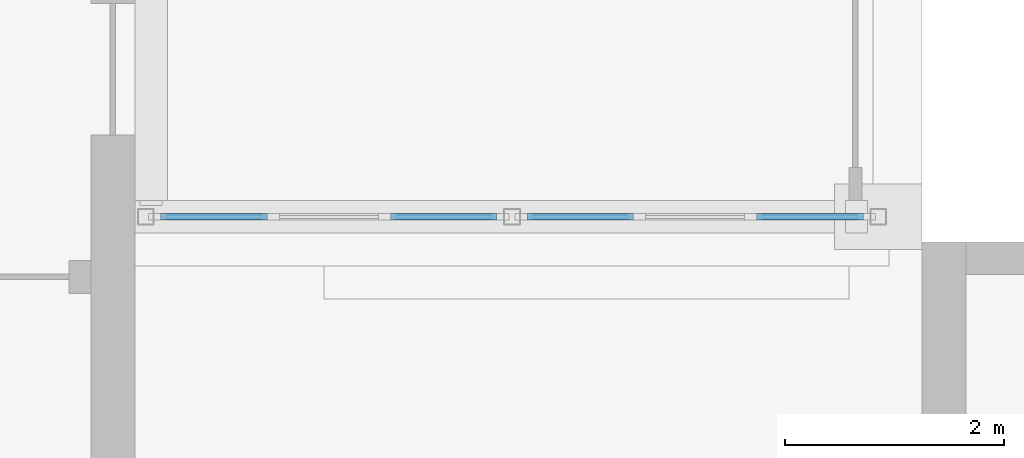
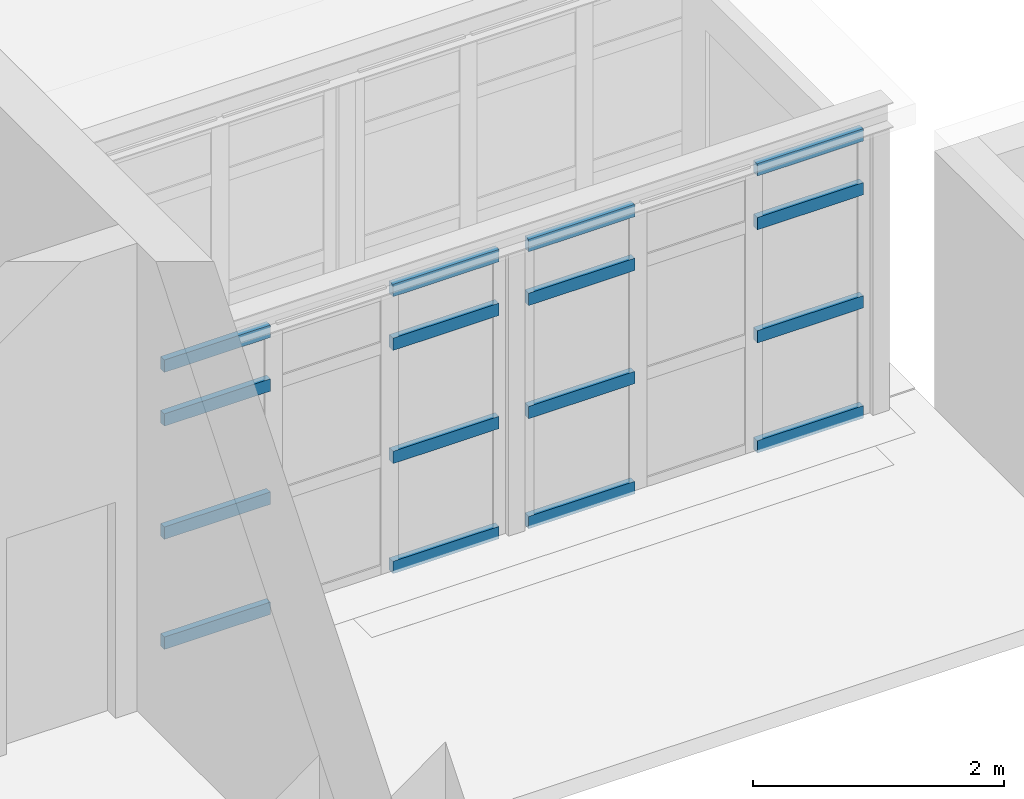
# One storey, part 59 of 131: 16 members, 2 elements without a shape of their own.
"""IFC4 building model written with IfcOpenShell, lengths in metres."""

from ifc_helpers import new_model, si_unit, direction, frame, origin, origin_2d, place, context, subcontext, project, spatial, rectangle, extrude, material, layer, layer_set, material_profile, profile_set, type_object, element, aggregate, save


model = new_model("IFC4")

# Units and contexts
model_context = context("Model", 3, precision=1e-05, world=origin(), true_north=direction((0.0, 1.0)))
body_context = subcontext(model_context, "Body", "Model", "MODEL_VIEW")
ifc_project = project(units=[si_unit("LENGTHUNIT", "METRE"), si_unit("AREAUNIT", "SQUARE_METRE"), si_unit("VOLUMEUNIT", "CUBIC_METRE"), si_unit("PLANEANGLEUNIT", "RADIAN"), si_unit("MASSUNIT", "GRAM", prefix="KILO")], contexts=[model_context])

# Site, building, storey
site_placement = place(None, origin())
site = spatial("IfcSite", under=ifc_project, at=site_placement, CompositionType="ELEMENT")
building_placement = place(site_placement, origin())
building = spatial("IfcBuilding", under=site, at=building_placement, Name="Alderwick Market Hall", CompositionType="ELEMENT")
storey_placement = place(building_placement, frame((0.0, 0.0, 4.800048828125)))
storey = spatial("IfcBuildingStorey", under=building, at=storey_placement, Name="L00", CompositionType="ELEMENT", Elevation=4.800048828125)

# Curtain wall, members
ifc_material = material(Name="Aluminium frame", Category="aluminium")
ifc_layer = layer(ifc_material, 0.10009765625)
ifc_layer_set = layer_set([ifc_layer], Name="Aluminium frame")
curtain_wall_type = type_object("IfcCurtainWallType", Name="P Curtain Wall 100", PredefinedType="NOTDEFINED", material=ifc_layer_set)
curtain_wall_1_placement = place(storey_placement, origin())
curtain_wall_1 = element("IfcCurtainWall", 1, at=curtain_wall_1_placement, inside=storey, type_object=curtain_wall_type, Name="P.P7.cw.a0", PredefinedType="NOTDEFINED")
ifc_material_profile = material_profile(ifc_material, rectangle(XDim=0.06005859375, YDim=0.1201171875, at=origin_2d()), Name="P Transom 60x120")
ifc_profile_set = profile_set([ifc_material_profile], Name="Aluminium frame")
member_type = type_object("IfcMemberType", Name="P Transom 60x120", PredefinedType="USERDEFINED", material=ifc_profile_set)
member_1_placement = place(storey_placement, frame((43.43603515625, 126.75, 0.030029296875), z_axis=(1.0, 0.0, 0.0), x_axis=(0.0, 1.0, 0.0)))
member_1 = element("IfcMember", 2, at=member_1_placement, type_object=member_type, Name="P-CW7a0 transom 1.1", ObjectType="TRANSOM", PredefinedType="USERDEFINED", context=body_context, shape_type="SweptSolid", body=[
    extrude(rectangle(XDim=0.06005859375, YDim=0.1201171875, at=origin_2d()), origin(), (0.0, 0.0, 1.0), 0.97607421875),
])
member_2_placement = place(storey_placement, frame((43.43603515625, 126.75, 1.099853515625), z_axis=(1.0, 0.0, 0.0), x_axis=(0.0, 1.0, 0.0)))
member_2 = element("IfcMember", 3, at=member_2_placement, type_object=member_type, Name="P-CW7a0 transom 1.2", ObjectType="TRANSOM", PredefinedType="USERDEFINED", context=body_context, shape_type="SweptSolid", body=[
    extrude(rectangle(XDim=0.06005859375, YDim=0.1201171875, at=origin_2d()), origin(), (0.0, 0.0, 1.0), 0.97607421875),
])
member_3_placement = place(storey_placement, frame((43.43603515625, 126.75, 2.199951171875), z_axis=(1.0, 0.0, 0.0), x_axis=(0.0, 1.0, 0.0)))
member_3 = element("IfcMember", 4, at=member_3_placement, type_object=member_type, Name="P-CW7a0 transom 1.3", ObjectType="TRANSOM", PredefinedType="USERDEFINED", context=body_context, shape_type="SweptSolid", body=[
    extrude(rectangle(XDim=0.06005859375, YDim=0.1201171875, at=origin_2d()), origin(), (0.0, 0.0, 1.0), 0.97607421875),
])
member_4_placement = place(storey_placement, frame((43.43603515625, 126.75, 2.722900390625), z_axis=(1.0, 0.0, 0.0), x_axis=(0.0, 1.0, 0.0)))
member_4 = element("IfcMember", 5, at=member_4_placement, type_object=member_type, Name="P-CW7a0 transom 1.4", ObjectType="TRANSOM", PredefinedType="USERDEFINED", context=body_context, shape_type="SweptSolid", body=[
    extrude(rectangle(XDim=0.06005859375, YDim=0.1201171875, at=origin_2d()), origin(), (0.0, 0.0, 1.0), 0.97607421875),
])
member_5_placement = place(storey_placement, frame((45.5380859375, 126.75, 0.030029296875), z_axis=(1.0, 0.0, 0.0), x_axis=(0.0, 1.0, 0.0)))
member_5 = element("IfcMember", 6, at=member_5_placement, type_object=member_type, Name="P-CW7a0 transom 3.1", ObjectType="TRANSOM", PredefinedType="USERDEFINED", context=body_context, shape_type="SweptSolid", body=[
    extrude(rectangle(XDim=0.06005859375, YDim=0.1201171875, at=origin_2d()), origin(), (0.0, 0.0, 1.0), 0.975830078125),
])
member_6_placement = place(storey_placement, frame((45.5380859375, 126.75, 1.099853515625), z_axis=(1.0, 0.0, 0.0), x_axis=(0.0, 1.0, 0.0)))
member_6 = element("IfcMember", 7, at=member_6_placement, type_object=member_type, Name="P-CW7a0 transom 3.2", ObjectType="TRANSOM", PredefinedType="USERDEFINED", context=body_context, shape_type="SweptSolid", body=[
    extrude(rectangle(XDim=0.06005859375, YDim=0.1201171875, at=origin_2d()), origin(), (0.0, 0.0, 1.0), 0.975830078125),
])
member_7_placement = place(storey_placement, frame((45.5380859375, 126.75, 2.199951171875), z_axis=(1.0, 0.0, 0.0), x_axis=(0.0, 1.0, 0.0)))
member_7 = element("IfcMember", 8, at=member_7_placement, type_object=member_type, Name="P-CW7a0 transom 3.3", ObjectType="TRANSOM", PredefinedType="USERDEFINED", context=body_context, shape_type="SweptSolid", body=[
    extrude(rectangle(XDim=0.06005859375, YDim=0.1201171875, at=origin_2d()), origin(), (0.0, 0.0, 1.0), 0.975830078125),
])
member_8_placement = place(storey_placement, frame((45.5380859375, 126.75, 2.722900390625), z_axis=(1.0, 0.0, 0.0), x_axis=(0.0, 1.0, 0.0)))
member_8 = element("IfcMember", 9, at=member_8_placement, type_object=member_type, Name="P-CW7a0 transom 3.4", ObjectType="TRANSOM", PredefinedType="USERDEFINED", context=body_context, shape_type="SweptSolid", body=[
    extrude(rectangle(XDim=0.06005859375, YDim=0.1201171875, at=origin_2d()), origin(), (0.0, 0.0, 1.0), 0.975830078125),
])
aggregate(curtain_wall_1, [member_1, member_2, member_3, member_4, member_5, member_6, member_7, member_8])

curtain_wall_2_placement = place(storey_placement, origin())
curtain_wall_2 = element("IfcCurtainWall", 10, at=curtain_wall_2_placement, inside=storey, type_object=curtain_wall_type, Name="P.P7.cw.a1", PredefinedType="NOTDEFINED")
member_9_placement = place(storey_placement, frame((46.785888671875, 126.75, 0.030029296875), z_axis=(1.0, 0.0, 0.0), x_axis=(0.0, 1.0, 0.0)))
member_9 = element("IfcMember", 11, at=member_9_placement, type_object=member_type, Name="P-CW7a1 transom 1.1", ObjectType="TRANSOM", PredefinedType="USERDEFINED", context=body_context, shape_type="SweptSolid", body=[
    extrude(rectangle(XDim=0.06005859375, YDim=0.1201171875, at=origin_2d()), origin(), (0.0, 0.0, 1.0), 0.97607421875),
])
member_10_placement = place(storey_placement, frame((46.785888671875, 126.75, 1.099853515625), z_axis=(1.0, 0.0, 0.0), x_axis=(0.0, 1.0, 0.0)))
member_10 = element("IfcMember", 12, at=member_10_placement, type_object=member_type, Name="P-CW7a1 transom 1.2", ObjectType="TRANSOM", PredefinedType="USERDEFINED", context=body_context, shape_type="SweptSolid", body=[
    extrude(rectangle(XDim=0.06005859375, YDim=0.1201171875, at=origin_2d()), origin(), (0.0, 0.0, 1.0), 0.97607421875),
])
member_11_placement = place(storey_placement, frame((46.785888671875, 126.75, 2.199951171875), z_axis=(1.0, 0.0, 0.0), x_axis=(0.0, 1.0, 0.0)))
member_11 = element("IfcMember", 13, at=member_11_placement, type_object=member_type, Name="P-CW7a1 transom 1.3", ObjectType="TRANSOM", PredefinedType="USERDEFINED", context=body_context, shape_type="SweptSolid", body=[
    extrude(rectangle(XDim=0.06005859375, YDim=0.1201171875, at=origin_2d()), origin(), (0.0, 0.0, 1.0), 0.97607421875),
])
member_12_placement = place(storey_placement, frame((46.785888671875, 126.75, 2.722900390625), z_axis=(1.0, 0.0, 0.0), x_axis=(0.0, 1.0, 0.0)))
member_12 = element("IfcMember", 14, at=member_12_placement, type_object=member_type, Name="P-CW7a1 transom 1.4", ObjectType="TRANSOM", PredefinedType="USERDEFINED", context=body_context, shape_type="SweptSolid", body=[
    extrude(rectangle(XDim=0.06005859375, YDim=0.1201171875, at=origin_2d()), origin(), (0.0, 0.0, 1.0), 0.97607421875),
])
member_13_placement = place(storey_placement, frame((48.887939453125, 126.75, 0.030029296875), z_axis=(1.0, 0.0, 0.0), x_axis=(0.0, 1.0, 0.0)))
member_13 = element("IfcMember", 15, at=member_13_placement, type_object=member_type, Name="P-CW7a1 transom 3.1", ObjectType="TRANSOM", PredefinedType="USERDEFINED", context=body_context, shape_type="SweptSolid", body=[
    extrude(rectangle(XDim=0.06005859375, YDim=0.1201171875, at=origin_2d()), origin(), (0.0, 0.0, 1.0), 0.97607421875),
])
member_14_placement = place(storey_placement, frame((48.887939453125, 126.75, 1.099853515625), z_axis=(1.0, 0.0, 0.0), x_axis=(0.0, 1.0, 0.0)))
member_14 = element("IfcMember", 16, at=member_14_placement, type_object=member_type, Name="P-CW7a1 transom 3.2", ObjectType="TRANSOM", PredefinedType="USERDEFINED", context=body_context, shape_type="SweptSolid", body=[
    extrude(rectangle(XDim=0.06005859375, YDim=0.1201171875, at=origin_2d()), origin(), (0.0, 0.0, 1.0), 0.97607421875),
])
member_15_placement = place(storey_placement, frame((48.887939453125, 126.75, 2.199951171875), z_axis=(1.0, 0.0, 0.0), x_axis=(0.0, 1.0, 0.0)))
member_15 = element("IfcMember", 17, at=member_15_placement, type_object=member_type, Name="P-CW7a1 transom 3.3", ObjectType="TRANSOM", PredefinedType="USERDEFINED", context=body_context, shape_type="SweptSolid", body=[
    extrude(rectangle(XDim=0.06005859375, YDim=0.1201171875, at=origin_2d()), origin(), (0.0, 0.0, 1.0), 0.97607421875),
])
member_16_placement = place(storey_placement, frame((48.887939453125, 126.75, 2.722900390625), z_axis=(1.0, 0.0, 0.0), x_axis=(0.0, 1.0, 0.0)))
member_16 = element("IfcMember", 18, at=member_16_placement, type_object=member_type, Name="P-CW7a1 transom 3.4", ObjectType="TRANSOM", PredefinedType="USERDEFINED", context=body_context, shape_type="SweptSolid", body=[
    extrude(rectangle(XDim=0.06005859375, YDim=0.1201171875, at=origin_2d()), origin(), (0.0, 0.0, 1.0), 0.97607421875),
])
aggregate(curtain_wall_2, [member_9, member_10, member_11, member_12, member_13, member_14, member_15, member_16])

save(model, "model.ifc")
